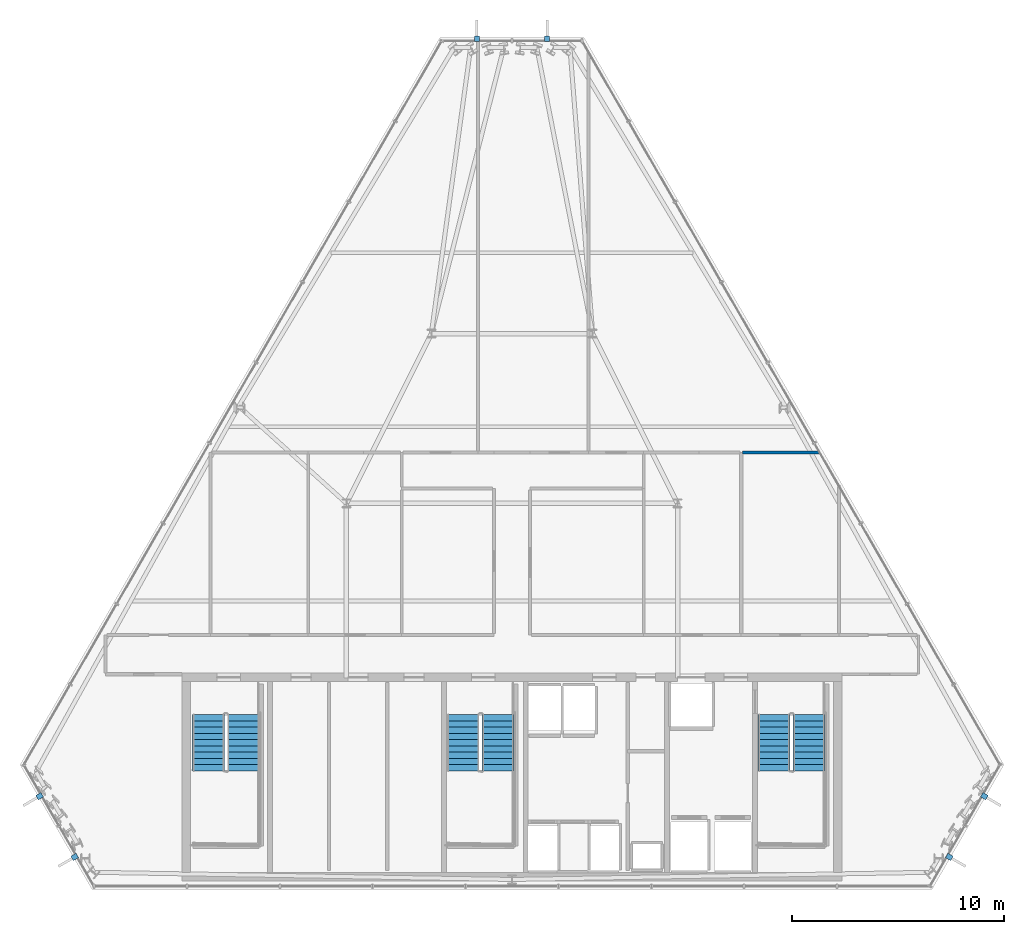
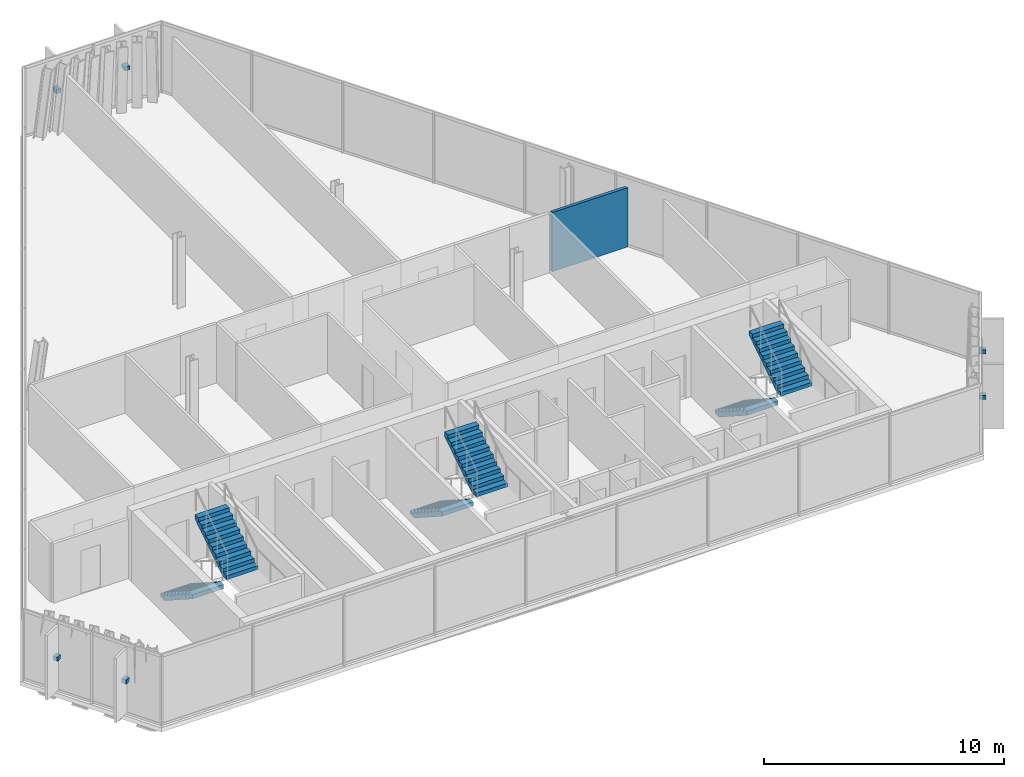
# One storey, part 26 of 29: 6 discrete accessories, 6 stair flights, 1 wall, 3 elements without a shape of their own.
"""IFC4 building model written with IfcOpenShell, lengths in metres."""

import ifcopenshell
import ifcopenshell.guid

model = None  # the IFC model being written
_history = None  # IfcOwnerHistory: only IFC2X3 demands one
_inside = {}  # id of a spatial element -> (the spatial element, [elements in it])
_under = {}  # id of a project, library or spatial element -> (it, [spatial elements below it])
_declared = {}  # id of a project -> (the project, [libraries it declares])
_typed = {}  # id of a type object -> (the type object, [elements of that type])
_made_of = {}  # id of a material, layer set ... -> (it, [elements and type objects made of it])


def new_model(schema):
    """Start an empty IFC model of exactly this schema.

    Asked for "IFC4X3", IfcOpenShell would pick the latest addendum, in which some entities
    have other attributes; the version numbers below select the first issue.
    IFC2X3 requires an IfcOwnerHistory on every rooted entity: one is made here for all.
    """
    global model, _history
    if schema == "IFC4X3":
        model = ifcopenshell.file(schema_version=(4, 3, 0, 0))
    else:
        model = ifcopenshell.file(schema=schema)
    _inside.clear()
    _under.clear()
    _declared.clear()
    _typed.clear()
    _made_of.clear()
    _history = None
    if model.schema == "IFC2X3":
        org = make("IfcOrganization", Name="unknown")
        user = make(
            "IfcPersonAndOrganization",
            ThePerson=make("IfcPerson", FamilyName="unknown"),
            TheOrganization=org,
        )
        app = make(
            "IfcApplication",
            ApplicationDeveloper=org,
            Version="unknown",
            ApplicationFullName="unknown",
            ApplicationIdentifier="unknown",
        )
        _history = make(
            "IfcOwnerHistory",
            OwningUser=user,
            OwningApplication=app,
            ChangeAction="ADDED",
            CreationDate=0,
        )
    return model


def make(cls, **values):
    """One entity of the class cls with the attributes given. An attribute that is None is left unset."""
    return model.create_entity(
        cls, **{name: value for name, value in values.items() if value is not None}
    )


def rooted(cls, **values):
    """An entity with a GlobalId (a new one), such as an element, a storey or a relation."""
    return make(cls, GlobalId=ifcopenshell.guid.new(), OwnerHistory=_history, **values)


def si_unit(unit_type, name, prefix=None):
    """IfcSIUnit, for example si_unit("LENGTHUNIT", "METRE", prefix="MILLI")."""
    return make("IfcSIUnit", UnitType=unit_type, Prefix=prefix, Name=name)


def assignment(units):
    """IfcUnitAssignment: the units of a project."""
    return None if units is None else make("IfcUnitAssignment", Units=units)


def point(xyz):
    """IfcCartesianPoint."""
    return None if xyz is None else make("IfcCartesianPoint", Coordinates=xyz)


def direction(xyz):
    """IfcDirection."""
    return None if xyz is None else make("IfcDirection", DirectionRatios=xyz)


def frame(location, z_axis=None, x_axis=None):
    """IfcAxis2Placement3D, a coordinate frame: its origin and axes. An axis left out is left unset."""
    return make(
        "IfcAxis2Placement3D",
        Location=point(location),
        Axis=direction(z_axis),
        RefDirection=direction(x_axis),
    )


def frame_2d(location, x_axis=None):
    """IfcAxis2Placement2D, a coordinate frame in the plane: its origin and x axis."""
    return make(
        "IfcAxis2Placement2D", Location=point(location), RefDirection=direction(x_axis)
    )


def origin():
    """The frame at (0, 0, 0) with its axes left unset."""
    return frame((0.0, 0.0, 0.0))


def origin_2d():
    """The frame at (0, 0) in the plane with its x axis left unset."""
    return frame_2d((0.0, 0.0))


def place(relative_to, where):
    """IfcLocalPlacement: puts the frame where relative to a parent placement (None: the world)."""
    return make(
        "IfcLocalPlacement", PlacementRelTo=relative_to, RelativePlacement=where
    )


def context(
    kind, dimensions, precision=None, world=None, true_north=None, identifier=None
):
    """IfcGeometricRepresentationContext, for example the 3D "Model" context."""
    return make(
        "IfcGeometricRepresentationContext",
        ContextIdentifier=identifier,
        ContextType=kind,
        CoordinateSpaceDimension=dimensions,
        Precision=precision,
        WorldCoordinateSystem=world,
        TrueNorth=true_north,
    )


def subcontext(parent, identifier, kind, view, scale=None):
    """IfcGeometricRepresentationSubContext, for example "Body" below "Model"."""
    return make(
        "IfcGeometricRepresentationSubContext",
        ContextIdentifier=identifier,
        ContextType=kind,
        ParentContext=parent,
        TargetScale=scale,
        TargetView=view,
    )


def project(units=None, contexts=None):
    """IfcProject with its units and contexts."""
    return rooted(
        "IfcProject",
        Name="project",
        RepresentationContexts=contexts,
        UnitsInContext=assignment(units),
    )


def spatial(cls, under=None, at=None, **own):
    """A site, building, storey or space (cls), placed at a placement, below another one or the project."""
    s = rooted(cls, ObjectPlacement=at, **own)
    if under is not None:
        _under.setdefault(under.id(), (under, []))[1].append(s)
    return s


def polyline(points):
    """IfcPolyline through the points."""
    return make("IfcPolyline", Points=[point(p) for p in points])


def profile(cls, at=None, kind="AREA", **sizes):
    """A parametric profile (cls). Its sizes go by their IFC names, for example OverallWidth=200.0."""
    return make(cls, ProfileType=kind, Position=at, **sizes)


def rectangle(**sizes):
    """IfcRectangleProfileDef."""
    return profile("IfcRectangleProfileDef", **sizes)


def outline(outer, holes=None, kind="AREA"):
    """IfcArbitraryClosedProfileDef: a profile drawn as a closed curve; with holes, ...WithVoids."""
    if holes is None:
        return make("IfcArbitraryClosedProfileDef", ProfileType=kind, OuterCurve=outer)
    return make(
        "IfcArbitraryProfileDefWithVoids",
        ProfileType=kind,
        OuterCurve=outer,
        InnerCurves=holes,
    )


def extrude(swept, where, along, depth):
    """IfcExtrudedAreaSolid: the profile swept, set in the frame where, extruded along a direction by depth."""
    return make(
        "IfcExtrudedAreaSolid",
        SweptArea=swept,
        Position=where,
        ExtrudedDirection=direction(along),
        Depth=depth,
    )


def shape(context_of_items, identifier, shape_type, items):
    """IfcShapeRepresentation: the items that make up one representation, for example the "Body"."""
    return make(
        "IfcShapeRepresentation",
        ContextOfItems=context_of_items,
        RepresentationIdentifier=identifier,
        RepresentationType=shape_type,
        Items=items,
    )


def material(Name=None, Category=None):
    """IfcMaterial."""
    return make("IfcMaterial", Name=Name, Category=Category)


def layer(
    of_material, thickness, ventilated=None, Name=None, Category=None, Priority=None
):
    """IfcMaterialLayer: one layer of a wall or slab, of a material (None: an air gap)."""
    return make(
        "IfcMaterialLayer",
        Material=of_material,
        LayerThickness=thickness,
        IsVentilated=ventilated,
        Name=Name,
        Category=Category,
        Priority=Priority,
    )


def layer_set(layers, Name=None):
    """IfcMaterialLayerSet."""
    return make("IfcMaterialLayerSet", MaterialLayers=layers, LayerSetName=Name)


def made_of(thing, what):
    """Note that an element or type object is made of a material, layer set ...; save() writes the relation."""
    if what is not None:
        _made_of.setdefault(what.id(), (what, []))[1].append(thing)
    return thing


def type_object(cls, material=None, **own):
    """A type object (cls), such as IfcWallType, which elements share."""
    return made_of(rooted(cls, **own), material)


def element(
    cls,
    number,
    at=None,
    inside=None,
    cuts=None,
    type_object=None,
    material=None,
    context=None,
    identifier="Body",
    shape_type=None,
    held_by="IfcProductDefinitionShape",
    body=None,
    shapes=None,
    **own,
):
    """One element of the class cls, such as IfcWall. Its Tag is "e" and its number.

    at: its placement. inside: the storey or other place that contains it. cuts: it is an
    opening in that element (IfcRelVoidsElement). A single representation is given by context,
    identifier, shape_type and body (its items); several are given by shapes. held_by: the class
    of the entity that holds the representations. save() writes the other relations.
    """
    e = rooted(cls, Tag="e%d" % number, ObjectPlacement=at, **own)
    if body is not None:
        shapes = [shape(context, identifier, shape_type, body)]
    if shapes is not None:
        e.Representation = make(held_by, Representations=shapes)
    if inside is not None:
        _inside.setdefault(inside.id(), (inside, []))[1].append(e)
    if cuts is not None:
        rooted(
            "IfcRelVoidsElement", RelatingBuildingElement=cuts, RelatedOpeningElement=e
        )
    if type_object is not None:
        _typed.setdefault(type_object.id(), (type_object, []))[1].append(e)
    return made_of(e, material)


def aggregate(whole, parts):
    """IfcRelAggregates: a whole, such as a stair, and the parts it consists of."""
    return rooted("IfcRelAggregates", RelatingObject=whole, RelatedObjects=parts)


def save(model, path):
    """Write the relations noted so far, then the file.

    IfcRelAggregates (storeys below a building ...), IfcRelContainedInSpatialStructure (elements
    in a storey), IfcRelDefinesByType, IfcRelAssociatesMaterial and IfcRelDeclares: one each for
    every whole, place, type object, material and project.
    """
    for whole, parts in _under.values():
        aggregate(whole, parts)
    for where, things in _inside.values():
        rooted(
            "IfcRelContainedInSpatialStructure",
            RelatedElements=things,
            RelatingStructure=where,
        )
    for kind, things in _typed.values():
        rooted("IfcRelDefinesByType", RelatedObjects=things, RelatingType=kind)
    for what, things in _made_of.values():
        rooted("IfcRelAssociatesMaterial", RelatedObjects=things, RelatingMaterial=what)
    for by, libraries in _declared.values():
        rooted("IfcRelDeclares", RelatingContext=by, RelatedDefinitions=libraries)
    model.write(path)


model = new_model("IFC4")

# Units and contexts
model_context = context("Model", 3, precision=1e-05, world=origin(), true_north=direction((0.0, 1.0)))
body_context = subcontext(model_context, "Body", "Model", "MODEL_VIEW")
ifc_project = project(units=[si_unit("LENGTHUNIT", "METRE"), si_unit("AREAUNIT", "SQUARE_METRE"), si_unit("VOLUMEUNIT", "CUBIC_METRE"), si_unit("PLANEANGLEUNIT", "RADIAN"), si_unit("MASSUNIT", "GRAM", prefix="KILO")], contexts=[model_context])

# Site, building, storey
site_placement = place(None, origin())
site = spatial("IfcSite", under=ifc_project, at=site_placement, CompositionType="ELEMENT")
building_placement = place(site_placement, origin())
building = spatial("IfcBuilding", under=site, at=building_placement, Name="Ndaravel Arena Tower", CompositionType="ELEMENT")
storey_placement = place(building_placement, frame((0.0, 0.0, 248.39990234375)))
storey = spatial("IfcBuildingStorey", under=building, at=storey_placement, Name="L60", CompositionType="ELEMENT", Elevation=248.39990234375)

# Wall
ifc_material_1 = material(Name="Masonry", Category="masonry")
ifc_layer = layer(ifc_material_1, 0.14990234375)
ifc_layer_set = layer_set([ifc_layer], Name="Masonry")
wall_type = type_object("IfcWallType", Name="WALL-WET-150", PredefinedType="PARTITIONING", material=ifc_layer_set)
wall_placement = place(storey_placement, frame((52.864990234375, 25.60009765625, 0.0), z_axis=(0.0, 0.0, 1.0), x_axis=(1.0, 0.0, 0.0)))
element("IfcWall", 1, at=wall_placement, inside=storey, type_object=wall_type, Name="L60 Interior Partition 029", PredefinedType="PARTITIONING", context=body_context, shape_type="SweptSolid", body=[
    extrude(rectangle(XDim=3.63330078125, YDim=0.14990234375, at=frame_2d((1.816650390625, 0.0))), origin(), (0.0, 0.0, 1.0), 3.010498046875),
])

# Stair, stair flights
ifc_material_2 = material(Name="Concrete C40/50", Category="concrete")
stair_type = type_object("IfcStairType", Name="STAIR-CORE-HT", PredefinedType="HALF_TURN_STAIR", material=ifc_material_2)
stair_1_placement = place(storey_placement, origin())
stair_1 = element("IfcStair", 2, at=stair_1_placement, inside=storey, type_object=stair_type, Name="L60 ST-1", PredefinedType="HALF_TURN_STAIR")
ifc_material_3 = material(Name="Concrete C40/50", Category="concrete")
stair_flight_type = type_object("IfcStairFlightType", Name="SFLIGHT-CORE-1680", PredefinedType="STRAIGHT", material=ifc_material_3)
stair_flight_1_placement = place(storey_placement, frame((27.699951171875, 13.25, 0.0), z_axis=(0.0, 0.0, 1.0), x_axis=(0.0, -1.0, 0.0)))
stair_flight_1 = element("IfcStairFlight", 3, at=stair_flight_1_placement, type_object=stair_flight_type, Name="ST-1 flight 1", NumberOfRisers=10, NumberOfTreads=9, PredefinedType="STRAIGHT", RiserHeight=0.19, TreadLength=0.295, context=body_context, shape_type="SweptSolid", body=[
    extrude(outline(polyline([(0.0, 0.0), (0.0, 0.18994140625), (0.294921875, 0.18994140625), (0.294921875, 0.3798828125), (0.590087890625, 0.3798828125), (0.590087890625, 0.570068359375), (0.885009765625, 0.570068359375), (0.885009765625, 0.760009765625), (1.179931640625, 0.760009765625), (1.179931640625, 0.949951171875), (1.47509765625, 0.949951171875), (1.47509765625, 1.139892578125), (1.77001953125, 1.139892578125), (1.77001953125, 1.330078125), (2.06494140625, 1.330078125), (2.06494140625, 1.52001953125), (2.360107421875, 1.52001953125), (2.360107421875, 1.7099609375), (2.655029296875, 1.7099609375), (2.655029296875, 1.89990234375), (2.655029296875, 1.49609375), (0.332275390625, 0.0), (0.0, 0.0)])), frame((0.0, 0.75, 0.0), z_axis=(0.0, -1.0, 0.0), x_axis=(1.0, 0.0, 0.0)), (0.0, 0.0, 1.0), 1.5),
])
stair_flight_2_placement = place(storey_placement, frame((29.340087890625, 10.594970703125, 1.900146484375), z_axis=(0.0, 0.0, 1.0), x_axis=(0.0, 1.0, 0.0)))
stair_flight_2 = element("IfcStairFlight", 4, at=stair_flight_2_placement, type_object=stair_flight_type, Name="ST-1 flight 2", NumberOfRisers=10, NumberOfTreads=9, PredefinedType="STRAIGHT", RiserHeight=0.19, TreadLength=0.295, context=body_context, shape_type="SweptSolid", body=[
    extrude(outline(polyline([(0.0, 0.0), (0.0, 0.18994140625), (0.294921875, 0.18994140625), (0.294921875, 0.3798828125), (0.590087890625, 0.3798828125), (0.590087890625, 0.570068359375), (0.885009765625, 0.570068359375), (0.885009765625, 0.760009765625), (1.179931640625, 0.760009765625), (1.179931640625, 0.949951171875), (1.47509765625, 0.949951171875), (1.47509765625, 1.139892578125), (1.77001953125, 1.139892578125), (1.77001953125, 1.330078125), (2.06494140625, 1.330078125), (2.06494140625, 1.52001953125), (2.360107421875, 1.52001953125), (2.360107421875, 1.7099609375), (2.655029296875, 1.7099609375), (2.655029296875, 1.89990234375), (2.655029296875, 1.49609375), (0.332275390625, 0.0), (0.0, 0.0)])), frame((0.0, 0.75, 0.0), z_axis=(0.0, -1.0, 0.0), x_axis=(1.0, 0.0, 0.0)), (0.0, 0.0, 1.0), 1.5),
])
aggregate(stair_1, [stair_flight_1, stair_flight_2])

stair_2_placement = place(storey_placement, origin())
stair_2 = element("IfcStair", 5, at=stair_2_placement, inside=storey, type_object=stair_type, Name="L60 ST-2", PredefinedType="HALF_TURN_STAIR")
stair_flight_3_placement = place(storey_placement, frame((39.699951171875, 13.25, 0.0), z_axis=(0.0, 0.0, 1.0), x_axis=(0.0, -1.0, 0.0)))
stair_flight_3 = element("IfcStairFlight", 6, at=stair_flight_3_placement, type_object=stair_flight_type, Name="ST-2 flight 1", NumberOfRisers=10, NumberOfTreads=9, PredefinedType="STRAIGHT", RiserHeight=0.19, TreadLength=0.295, context=body_context, shape_type="SweptSolid", body=[
    extrude(outline(polyline([(0.0, 0.0), (0.0, 0.18994140625), (0.294921875, 0.18994140625), (0.294921875, 0.3798828125), (0.590087890625, 0.3798828125), (0.590087890625, 0.570068359375), (0.885009765625, 0.570068359375), (0.885009765625, 0.760009765625), (1.179931640625, 0.760009765625), (1.179931640625, 0.949951171875), (1.47509765625, 0.949951171875), (1.47509765625, 1.139892578125), (1.77001953125, 1.139892578125), (1.77001953125, 1.330078125), (2.06494140625, 1.330078125), (2.06494140625, 1.52001953125), (2.360107421875, 1.52001953125), (2.360107421875, 1.7099609375), (2.655029296875, 1.7099609375), (2.655029296875, 1.89990234375), (2.655029296875, 1.49609375), (0.332275390625, 0.0), (0.0, 0.0)])), frame((0.0, 0.75, 0.0), z_axis=(0.0, -1.0, 0.0), x_axis=(1.0, 0.0, 0.0)), (0.0, 0.0, 1.0), 1.5),
])
stair_flight_4_placement = place(storey_placement, frame((41.340087890625, 10.594970703125, 1.900146484375), z_axis=(0.0, 0.0, 1.0), x_axis=(0.0, 1.0, 0.0)))
stair_flight_4 = element("IfcStairFlight", 7, at=stair_flight_4_placement, type_object=stair_flight_type, Name="ST-2 flight 2", NumberOfRisers=10, NumberOfTreads=9, PredefinedType="STRAIGHT", RiserHeight=0.19, TreadLength=0.295, context=body_context, shape_type="SweptSolid", body=[
    extrude(outline(polyline([(0.0, 0.0), (0.0, 0.18994140625), (0.294921875, 0.18994140625), (0.294921875, 0.3798828125), (0.590087890625, 0.3798828125), (0.590087890625, 0.570068359375), (0.885009765625, 0.570068359375), (0.885009765625, 0.760009765625), (1.179931640625, 0.760009765625), (1.179931640625, 0.949951171875), (1.47509765625, 0.949951171875), (1.47509765625, 1.139892578125), (1.77001953125, 1.139892578125), (1.77001953125, 1.330078125), (2.06494140625, 1.330078125), (2.06494140625, 1.52001953125), (2.360107421875, 1.52001953125), (2.360107421875, 1.7099609375), (2.655029296875, 1.7099609375), (2.655029296875, 1.89990234375), (2.655029296875, 1.49609375), (0.332275390625, 0.0), (0.0, 0.0)])), frame((0.0, 0.75, 0.0), z_axis=(0.0, -1.0, 0.0), x_axis=(1.0, 0.0, 0.0)), (0.0, 0.0, 1.0), 1.5),
])
aggregate(stair_2, [stair_flight_3, stair_flight_4])

stair_3_placement = place(storey_placement, origin())
stair_3 = element("IfcStair", 8, at=stair_3_placement, inside=storey, type_object=stair_type, Name="L60 ST-3", PredefinedType="HALF_TURN_STAIR")
stair_flight_5_placement = place(storey_placement, frame((54.35009765625, 13.25, 0.0), z_axis=(0.0, 0.0, 1.0), x_axis=(0.0, -1.0, 0.0)))
stair_flight_5 = element("IfcStairFlight", 9, at=stair_flight_5_placement, type_object=stair_flight_type, Name="ST-3 flight 1", NumberOfRisers=10, NumberOfTreads=9, PredefinedType="STRAIGHT", RiserHeight=0.19, TreadLength=0.295, context=body_context, shape_type="SweptSolid", body=[
    extrude(outline(polyline([(0.0, 0.0), (0.0, 0.18994140625), (0.294921875, 0.18994140625), (0.294921875, 0.3798828125), (0.590087890625, 0.3798828125), (0.590087890625, 0.570068359375), (0.885009765625, 0.570068359375), (0.885009765625, 0.760009765625), (1.179931640625, 0.760009765625), (1.179931640625, 0.949951171875), (1.47509765625, 0.949951171875), (1.47509765625, 1.139892578125), (1.77001953125, 1.139892578125), (1.77001953125, 1.330078125), (2.06494140625, 1.330078125), (2.06494140625, 1.52001953125), (2.360107421875, 1.52001953125), (2.360107421875, 1.7099609375), (2.655029296875, 1.7099609375), (2.655029296875, 1.89990234375), (2.655029296875, 1.49609375), (0.332275390625, 0.0), (0.0, 0.0)])), frame((0.0, 0.75, 0.0), z_axis=(0.0, -1.0, 0.0), x_axis=(1.0, 0.0, 0.0)), (0.0, 0.0, 1.0), 1.5),
])
stair_flight_6_placement = place(storey_placement, frame((55.989990234375, 10.594970703125, 1.900146484375), z_axis=(0.0, 0.0, 1.0), x_axis=(0.0, 1.0, 0.0)))
stair_flight_6 = element("IfcStairFlight", 10, at=stair_flight_6_placement, type_object=stair_flight_type, Name="ST-3 flight 2", NumberOfRisers=10, NumberOfTreads=9, PredefinedType="STRAIGHT", RiserHeight=0.19, TreadLength=0.295, context=body_context, shape_type="SweptSolid", body=[
    extrude(outline(polyline([(0.0, 0.0), (0.0, 0.18994140625), (0.294921875, 0.18994140625), (0.294921875, 0.3798828125), (0.590087890625, 0.3798828125), (0.590087890625, 0.570068359375), (0.885009765625, 0.570068359375), (0.885009765625, 0.760009765625), (1.179931640625, 0.760009765625), (1.179931640625, 0.949951171875), (1.47509765625, 0.949951171875), (1.47509765625, 1.139892578125), (1.77001953125, 1.139892578125), (1.77001953125, 1.330078125), (2.06494140625, 1.330078125), (2.06494140625, 1.52001953125), (2.360107421875, 1.52001953125), (2.360107421875, 1.7099609375), (2.655029296875, 1.7099609375), (2.655029296875, 1.89990234375), (2.655029296875, 1.49609375), (0.332275390625, 0.0), (0.0, 0.0)])), frame((0.0, 0.75, 0.0), z_axis=(0.0, -1.0, 0.0), x_axis=(1.0, 0.0, 0.0)), (0.0, 0.0, 1.0), 1.5),
])
aggregate(stair_3, [stair_flight_5, stair_flight_6])

# Discrete accessories
ifc_material_4 = material(Name="Steel S355", Category="steel")
discrete_accessory_type = type_object("IfcDiscreteAccessoryType", Name="ACC-BRACKET-FIN", PredefinedType="BRACKET", material=ifc_material_4)
for number, where, z_axis, x_axis, name in (
    (11, (62.6044921875, 6.54052734375, 1.68994140625), (0.0, 0.0, 1.0), (0.866025403784, -0.5, 0.0), "L60 Mazeras Stone Solar Fin E2.1 Bracket"),
    (12, (64.25634765625, 9.401611328125, 1.68994140625), (0.0, 0.0, 1.0), (0.866025403784, -0.5, 0.0), "L60 Mazeras Stone Solar Fin E2.2 Bracket"),
    (13, (43.65185546875, 45.089599609375, 1.68994140625), (0.0, 0.0, 1.0), (0.0, 1.0, 0.0), "L60 Mazeras Stone Solar Fin E4.1 Bracket"),
    (14, (40.34814453125, 45.089599609375, 1.68994140625), (0.0, 0.0, 1.0), (0.0, 1.0, 0.0), "L60 Mazeras Stone Solar Fin E4.2 Bracket"),
    (15, (19.74365234375, 9.401611328125, 1.68994140625), (0.0, 0.0, 1.0), (-0.866025403784, -0.5, 0.0), "L60 Mazeras Stone Solar Fin E6.1 Bracket"),
    (16, (21.3955078125, 6.54052734375, 1.68994140625), (0.0, 0.0, 1.0), (-0.866025403784, -0.5, 0.0), "L60 Mazeras Stone Solar Fin E6.2 Bracket"),
):
    element("IfcDiscreteAccessory", number, at=place(storey_placement, frame(where, z_axis=z_axis, x_axis=x_axis)), inside=storey, type_object=discrete_accessory_type, Name=name, PredefinedType="BRACKET", context=body_context, shape_type="SweptSolid", body=[
        extrude(rectangle(XDim=0.280029296875, YDim=0.239990234375, at=origin_2d()), origin(), (0.0, 0.0, 1.0), 0.199951171875),
    ])

save(model, "model.ifc")
